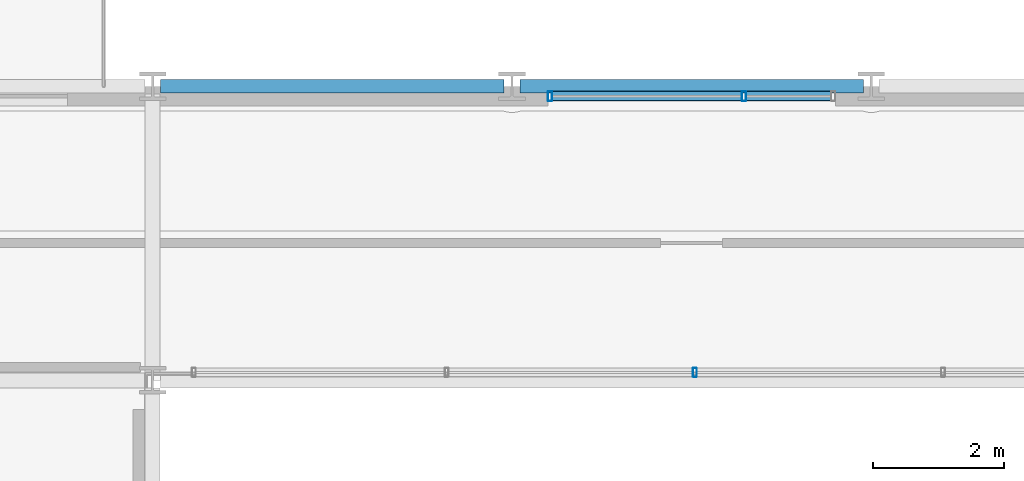
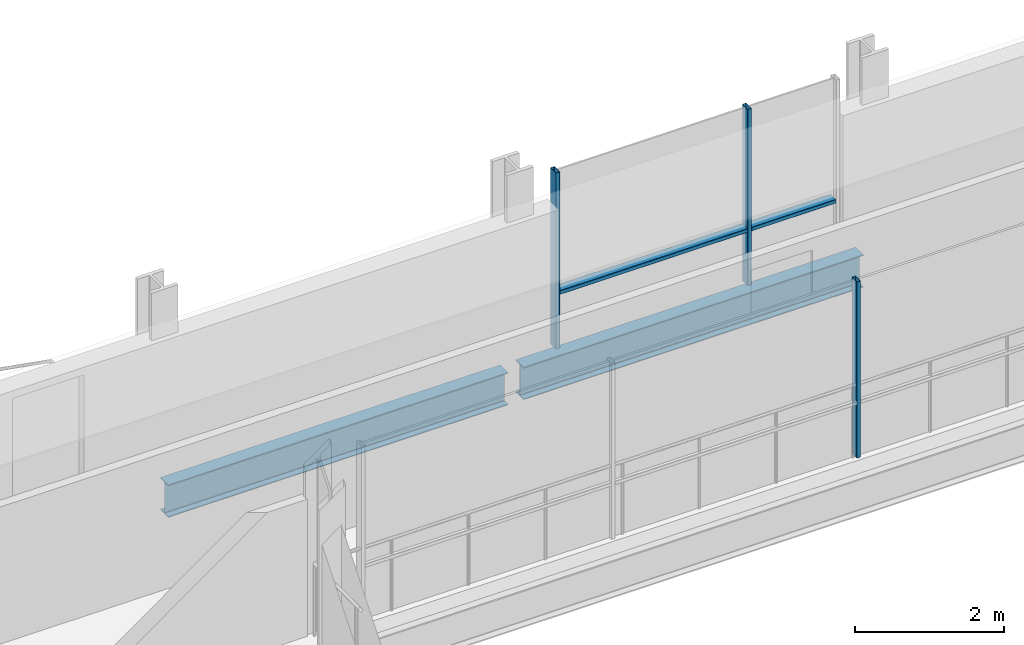
# One storey, part 11 of 39: 5 members, 2 beams, 2 elements without a shape of their own.
"""IFC4 building model written with IfcOpenShell, lengths in metres."""

from ifc_helpers import new_model, si_unit, direction, frame, origin, origin_2d, place, context, subcontext, project, spatial, hollow_rectangle, i_section, extrude, material, layer, layer_set, material_profile, profile_set, type_object, element, aggregate, save


model = new_model("IFC4")

# Units and contexts
model_context = context("Model", 3, precision=1e-05, world=origin(), true_north=direction((0.0, 1.0)))
body_context = subcontext(model_context, "Body", "Model", "MODEL_VIEW")
ifc_project = project(units=[si_unit("LENGTHUNIT", "METRE"), si_unit("AREAUNIT", "SQUARE_METRE"), si_unit("VOLUMEUNIT", "CUBIC_METRE"), si_unit("PLANEANGLEUNIT", "RADIAN"), si_unit("MASSUNIT", "GRAM", prefix="KILO")], contexts=[model_context])

# Site, building, storey
site_placement = place(None, origin())
site = spatial("IfcSite", under=ifc_project, at=site_placement, CompositionType="ELEMENT")
building_placement = place(site_placement, origin())
building = spatial("IfcBuilding", under=site, at=building_placement, Name="Brevholm Reach", CompositionType="ELEMENT")
storey_placement = place(building_placement, frame((0.0, 0.0, 109.699951171875)))
storey = spatial("IfcBuildingStorey", under=building, at=storey_placement, Name="L32", CompositionType="ELEMENT", Elevation=109.699951171875)

# Beams
ifc_material_1 = material(Name="Structural Steel S355J2", Category="steel")
ifc_material_profile_1 = material_profile(ifc_material_1, i_section(OverallWidth=0.209228515625, OverallDepth=0.533203125, WebThickness=0.010009765625, FlangeThickness=0.015625, FilletRadius=0.0126953125, at=origin_2d()), Name="UKB 533x210x92")
ifc_profile_set_1 = profile_set([ifc_material_profile_1], Name="Structural Steel S355J2")
beam_type = type_object("IfcBeamType", Name="BM-SP533", PredefinedType="SPANDREL", material=ifc_profile_set_1)
for number, where, z_axis, x_axis, name in (
    (1, (21.8701171875, 31.0, -0.486572265625), (1.0, 0.0, 0.0), (0.0, 1.0, 0.0), "L32 SP-02 Framing Beam"),
    (2, (27.3701171875, 31.0, -0.486572265625), (1.0, 0.0, 0.0), (0.0, 1.0, 0.0), "L32 SP-02 Framing Beam"),
):
    element("IfcBeam", number, at=place(storey_placement, frame(where, z_axis=z_axis, x_axis=x_axis)), inside=storey, type_object=beam_type, Name=name, PredefinedType="SPANDREL", context=body_context, shape_type="SweptSolid", body=[
        extrude(i_section(OverallWidth=0.209228515625, OverallDepth=0.533203125, WebThickness=0.010009765625, FlangeThickness=0.015625, FilletRadius=0.0126953125, at=origin_2d()), origin(), (0.0, 0.0, 1.0), 5.259765625),
    ])

# Curtain wall, member
ifc_material_2 = material(Name="Dark Anodised Aluminium 6063-T6 and Solar-Control Glass", Category="aluminium")
ifc_layer_1 = layer(ifc_material_2, 0.139892578125)
ifc_layer_set_1 = layer_set([ifc_layer_1], Name="Dark Anodised Aluminium 6063-T6 and Solar-Control Glass")
curtain_wall_type_1 = type_object("IfcCurtainWallType", Name="CW-02", PredefinedType="NOTDEFINED", material=ifc_layer_set_1)
curtain_wall_1_placement = place(storey_placement, origin())
curtain_wall_1 = element("IfcCurtainWall", 3, at=curtain_wall_1_placement, inside=storey, type_object=curtain_wall_type_1, Name="L32 Curtain Wall CW-02", PredefinedType="NOTDEFINED")
ifc_material_3 = material(Name="Dark Anodised Aluminium 6063-T6", Category="aluminium")
ifc_material_profile_2 = material_profile(ifc_material_3, hollow_rectangle(XDim=0.06005859375, YDim=0.139892578125, WallThickness=0.0048828125, InnerFilletRadius=0.0048828125, OuterFilletRadius=0.010009765625, at=origin_2d()), Name="RHS 140x60x5")
ifc_profile_set_2 = profile_set([ifc_material_profile_2], Name="Dark Anodised Aluminium 6063-T6")
member_type_1 = type_object("IfcMemberType", Name="CWM-140", PredefinedType="MULLION", material=ifc_profile_set_2)
member_1_placement = place(storey_placement, frame((30.050048828125, 26.6201171875, 0.0), z_axis=(0.0, 0.0, 1.0), x_axis=(-1.0, 0.0, 0.0)))
member_1 = element("IfcMember", 4, at=member_1_placement, type_object=member_type_1, Name="CM-140 Mullion 3", PredefinedType="MULLION", context=body_context, shape_type="SweptSolid", body=[
    extrude(hollow_rectangle(XDim=0.06005859375, YDim=0.139892578125, WallThickness=0.0048828125, InnerFilletRadius=0.0048828125, OuterFilletRadius=0.010009765625, at=origin_2d()), origin(), (0.0, 0.0, 1.0), 2.880126953125),
])
aggregate(curtain_wall_1, [member_1])

# Curtain wall, members
ifc_material_4 = material(Name="Dark Anodised Aluminium 6063-T6 and Solar-Control Glass", Category="aluminium")
ifc_layer_2 = layer(ifc_material_4, 0.14990234375)
ifc_layer_set_2 = layer_set([ifc_layer_2], Name="Dark Anodised Aluminium 6063-T6 and Solar-Control Glass")
curtain_wall_type_2 = type_object("IfcCurtainWallType", Name="CW-01", PredefinedType="NOTDEFINED", material=ifc_layer_set_2)
curtain_wall_2_placement = place(storey_placement, origin())
curtain_wall_2 = element("IfcCurtainWall", 5, at=curtain_wall_2_placement, inside=storey, type_object=curtain_wall_type_2, Name="L32 Curtain Wall CW-01", PredefinedType="NOTDEFINED")
ifc_material_5 = material(Name="Dark Anodised Aluminium 6063-T6", Category="aluminium")
ifc_material_profile_3 = material_profile(ifc_material_5, hollow_rectangle(XDim=0.06494140625, YDim=0.14990234375, WallThickness=0.0048828125, InnerFilletRadius=0.0048828125, OuterFilletRadius=0.010009765625, at=origin_2d()), Name="RHS 150x65x5")
ifc_profile_set_3 = profile_set([ifc_material_profile_3], Name="Dark Anodised Aluminium 6063-T6")
member_type_2 = type_object("IfcMemberType", Name="CWM-150", PredefinedType="MULLION", material=ifc_profile_set_3)
member_2_placement = place(storey_placement, frame((27.83251953125, 30.85009765625, 0.0), z_axis=(0.0, 0.0, 1.0), x_axis=(1.0, 0.0, 0.0)))
member_2 = element("IfcMember", 6, at=member_2_placement, type_object=member_type_2, Name="CM-150 Mullion 1", PredefinedType="MULLION", context=body_context, shape_type="SweptSolid", body=[
    extrude(hollow_rectangle(XDim=0.06494140625, YDim=0.14990234375, WallThickness=0.0048828125, InnerFilletRadius=0.0048828125, OuterFilletRadius=0.010009765625, at=origin_2d()), origin(), (0.0, 0.0, 1.0), 2.880126953125),
])
member_3_placement = place(storey_placement, frame((30.800048828125, 30.85009765625, 0.0), z_axis=(0.0, 0.0, 1.0), x_axis=(1.0, 0.0, 0.0)))
member_3 = element("IfcMember", 7, at=member_3_placement, type_object=member_type_2, Name="CM-150 Mullion 2", PredefinedType="MULLION", context=body_context, shape_type="SweptSolid", body=[
    extrude(hollow_rectangle(XDim=0.06494140625, YDim=0.14990234375, WallThickness=0.0048828125, InnerFilletRadius=0.0048828125, OuterFilletRadius=0.010009765625, at=origin_2d()), origin(), (0.0, 0.0, 1.0), 2.880126953125),
])
ifc_material_6 = material(Name="Dark Anodised Aluminium 6063-T6", Category="aluminium")
ifc_material_profile_4 = material_profile(ifc_material_6, hollow_rectangle(XDim=0.06494140625, YDim=0.14990234375, WallThickness=0.0048828125, InnerFilletRadius=0.0048828125, OuterFilletRadius=0.010009765625, at=origin_2d()), Name="RHS 150x65x5")
ifc_profile_set_4 = profile_set([ifc_material_profile_4], Name="Dark Anodised Aluminium 6063-T6")
member_type_3 = type_object("IfcMemberType", Name="CWT-150", PredefinedType="NOTDEFINED", material=ifc_profile_set_4)
member_4_placement = place(storey_placement, frame((27.864990234375, 30.85009765625, 0.900146484375), z_axis=(1.0, 0.0, 0.0), x_axis=(0.0, 0.0, 1.0)))
member_4 = element("IfcMember", 8, at=member_4_placement, type_object=member_type_3, Name="CT-150 Transom 1.1", ObjectType="TRANSOM", PredefinedType="USERDEFINED", context=body_context, shape_type="SweptSolid", body=[
    extrude(hollow_rectangle(XDim=0.06494140625, YDim=0.14990234375, WallThickness=0.0048828125, InnerFilletRadius=0.0048828125, OuterFilletRadius=0.010009765625, at=origin_2d()), origin(), (0.0, 0.0, 1.0), 2.902587890625),
])
member_5_placement = place(storey_placement, frame((30.83251953125, 30.85009765625, 0.900146484375), z_axis=(1.0, 0.0, 0.0), x_axis=(0.0, 0.0, 1.0)))
member_5 = element("IfcMember", 9, at=member_5_placement, type_object=member_type_3, Name="CT-150 Transom 2.1", ObjectType="TRANSOM", PredefinedType="USERDEFINED", context=body_context, shape_type="SweptSolid", body=[
    extrude(hollow_rectangle(XDim=0.06494140625, YDim=0.14990234375, WallThickness=0.0048828125, InnerFilletRadius=0.0048828125, OuterFilletRadius=0.010009765625, at=origin_2d()), origin(), (0.0, 0.0, 1.0), 1.302490234375),
])
aggregate(curtain_wall_2, [member_2, member_3, member_4, member_5])

save(model, "model.ifc")
